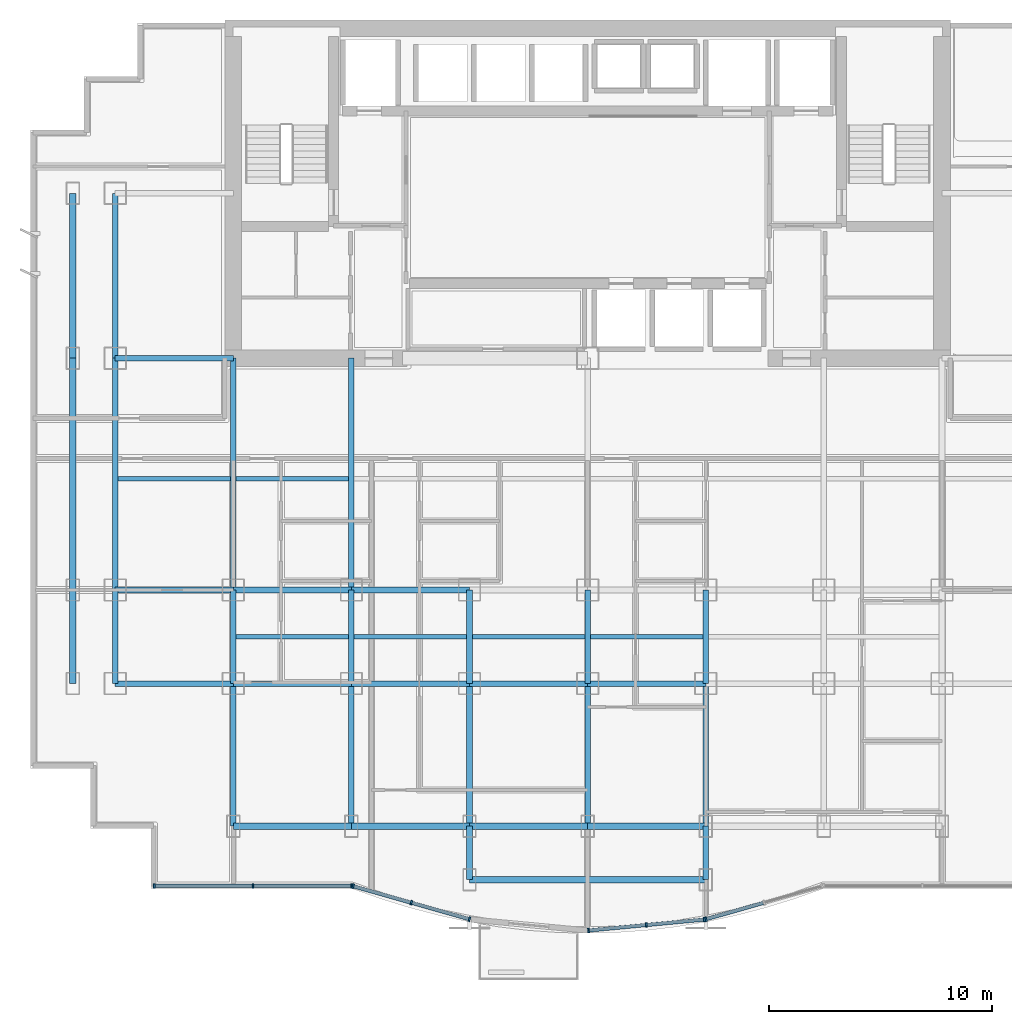
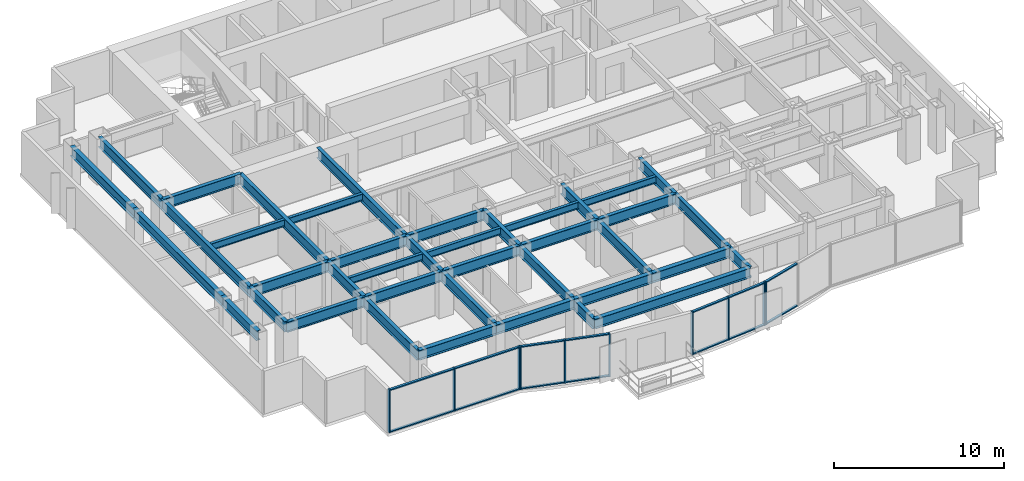
# One storey, part 2 of 10: 40 beams, 24 members, 4 elements without a shape of their own.
"""IFC4 building model written with IfcOpenShell, lengths in metres."""

from ifc_helpers import new_model, si_unit, direction, frame, origin, origin_2d, place, context, subcontext, project, spatial, rectangle, i_section, extrude, source, transform, mapped, material, layer, layer_set, material_profile, profile_set, type_object, element, aggregate, save


model = new_model("IFC4")

# Units and contexts
model_context = context("Model", 3, precision=1e-05, world=origin(), true_north=direction((0.0, 1.0)))
body_context = subcontext(model_context, "Body", "Model", "MODEL_VIEW")
ifc_project = project(units=[si_unit("LENGTHUNIT", "METRE"), si_unit("AREAUNIT", "SQUARE_METRE"), si_unit("VOLUMEUNIT", "CUBIC_METRE"), si_unit("PLANEANGLEUNIT", "RADIAN"), si_unit("MASSUNIT", "GRAM", prefix="KILO")], contexts=[model_context])

# Site, building, storey
site_placement = place(None, origin())
site = spatial("IfcSite", under=ifc_project, at=site_placement, CompositionType="ELEMENT")
building_placement = place(site_placement, origin())
building = spatial("IfcBuilding", under=site, at=building_placement, Name="Qianlan Lanfeng Residences", CompositionType="ELEMENT")
storey_placement = place(building_placement, frame((0.0, 0.0, 91.60009765625)))
storey = spatial("IfcBuildingStorey", under=building, at=storey_placement, Name="L24", CompositionType="ELEMENT", Elevation=91.60009765625)

# Beams
ifc_material_1 = material(Name="Steel SN490B", Category="steel")
ifc_material_profile_1 = material_profile(ifc_material_1, i_section(OverallWidth=0.25, OverallDepth=0.75, WebThickness=0.013916015625, FlangeThickness=0.02490234375, at=origin_2d()), Name="H 750x250x14x25")
ifc_profile_set_1 = profile_set([ifc_material_profile_1], Name="Steel SN490B")
beam_type_1 = type_object("IfcBeamType", Name="G-850", PredefinedType="BEAM", material=ifc_profile_set_1)
beam_1_placement = place(storey_placement, frame((5.300048828125, 10.60009765625, 2.71484375), z_axis=(1.0, 0.0, 0.0), x_axis=(0.0, 1.0, 0.0)))
element("IfcBeam", 1, at=beam_1_placement, inside=storey, type_object=beam_type_1, Name="Structural beam G-850", PredefinedType="BEAM", context=body_context, shape_type="SweptSolid", body=[
    extrude(i_section(OverallWidth=0.25, OverallDepth=0.75, WebThickness=0.013916015625, FlangeThickness=0.02490234375, at=origin_2d()), origin(), (0.0, 0.0, 1.0), 5.300048828125),
])
beam_2_placement = place(storey_placement, frame((10.60009765625, 10.60009765625, 2.71484375), z_axis=(1.0, 0.0, 0.0), x_axis=(0.0, 1.0, 0.0)))
element("IfcBeam", 2, at=beam_2_placement, inside=storey, type_object=beam_type_1, Name="Structural beam G-850", PredefinedType="BEAM", context=body_context, shape_type="SweptSolid", body=[
    extrude(i_section(OverallWidth=0.25, OverallDepth=0.75, WebThickness=0.013916015625, FlangeThickness=0.02490234375, at=origin_2d()), origin(), (0.0, 0.0, 1.0), 5.2998046875),
])
for number, where, z_axis, x_axis, name in (
    (3, (15.89990234375, 10.60009765625, 2.71484375), (1.0, 0.0, 0.0), (0.0, 1.0, 0.0), "Structural beam G-850"),
    (4, (21.199951171875, 10.60009765625, 2.71484375), (1.0, 0.0, 0.0), (0.0, 1.0, 0.0), "Structural beam G-850"),
    (5, (26.5, 10.60009765625, 2.71484375), (1.0, 0.0, 0.0), (0.0, 1.0, 0.0), "Structural beam G-850"),
    (6, (5.300048828125, 14.800048828125, 2.71484375), (1.0, 0.0, 0.0), (0.0, 1.0, 0.0), "Structural beam G-850"),
):
    element("IfcBeam", number, at=place(storey_placement, frame(where, z_axis=z_axis, x_axis=x_axis)), inside=storey, type_object=beam_type_1, Name=name, PredefinedType="BEAM", context=body_context, shape_type="SweptSolid", body=[
        extrude(i_section(OverallWidth=0.25, OverallDepth=0.75, WebThickness=0.013916015625, FlangeThickness=0.02490234375, at=origin_2d()), origin(), (0.0, 0.0, 1.0), 5.300048828125),
    ])
beam_3_placement = place(storey_placement, frame((10.60009765625, 14.800048828125, 2.71484375), z_axis=(1.0, 0.0, 0.0), x_axis=(0.0, 1.0, 0.0)))
element("IfcBeam", 7, at=beam_3_placement, inside=storey, type_object=beam_type_1, Name="Structural beam G-850", PredefinedType="BEAM", context=body_context, shape_type="SweptSolid", body=[
    extrude(i_section(OverallWidth=0.25, OverallDepth=0.75, WebThickness=0.013916015625, FlangeThickness=0.02490234375, at=origin_2d()), origin(), (0.0, 0.0, 1.0), 5.2998046875),
])
for number, where, z_axis, x_axis, name in (
    (8, (15.89990234375, 14.800048828125, 2.71484375), (1.0, 0.0, 0.0), (0.0, 1.0, 0.0), "Structural beam G-850"),
    (9, (5.300048828125, 25.199951171875, 2.71484375), (1.0, 0.0, 0.0), (0.0, 1.0, 0.0), "Structural beam G-850"),
):
    element("IfcBeam", number, at=place(storey_placement, frame(where, z_axis=z_axis, x_axis=x_axis)), inside=storey, type_object=beam_type_1, Name=name, PredefinedType="BEAM", context=body_context, shape_type="SweptSolid", body=[
        extrude(i_section(OverallWidth=0.25, OverallDepth=0.75, WebThickness=0.013916015625, FlangeThickness=0.02490234375, at=origin_2d()), origin(), (0.0, 0.0, 1.0), 5.300048828125),
    ])
beam_4_placement = place(storey_placement, frame((5.300048828125, 10.60009765625, 2.71484375), z_axis=(0.0, 1.0, 0.0), x_axis=(-1.0, 0.0, 0.0)))
element("IfcBeam", 10, at=beam_4_placement, inside=storey, type_object=beam_type_1, Name="Structural beam G-850", PredefinedType="BEAM", context=body_context, shape_type="SweptSolid", body=[
    extrude(i_section(OverallWidth=0.25, OverallDepth=0.75, WebThickness=0.013916015625, FlangeThickness=0.02490234375, at=origin_2d()), origin(), (0.0, 0.0, 1.0), 4.199951171875),
])
beam_5_placement = place(storey_placement, frame((5.300048828125, 14.800048828125, 2.71484375), z_axis=(0.0, 1.0, 0.0), x_axis=(-1.0, 0.0, 0.0)))
element("IfcBeam", 11, at=beam_5_placement, inside=storey, type_object=beam_type_1, Name="Structural beam G-850", PredefinedType="BEAM", context=body_context, shape_type="SweptSolid", body=[
    extrude(i_section(OverallWidth=0.25, OverallDepth=0.75, WebThickness=0.013916015625, FlangeThickness=0.02490234375, at=origin_2d()), origin(), (0.0, 0.0, 1.0), 10.39990234375),
])
beam_6_placement = place(storey_placement, frame((5.300048828125, 25.199951171875, 2.71484375), z_axis=(0.0, 1.0, 0.0), x_axis=(-1.0, 0.0, 0.0)))
element("IfcBeam", 12, at=beam_6_placement, inside=storey, type_object=beam_type_1, Name="Structural beam G-850", PredefinedType="BEAM", context=body_context, shape_type="SweptSolid", body=[
    extrude(i_section(OverallWidth=0.25, OverallDepth=0.75, WebThickness=0.013916015625, FlangeThickness=0.02490234375, at=origin_2d()), origin(), (0.0, 0.0, 1.0), 7.400146484375),
])
beam_7_placement = place(storey_placement, frame((10.60009765625, 4.199951171875, 2.71484375), z_axis=(0.0, 1.0, 0.0), x_axis=(-1.0, 0.0, 0.0)))
element("IfcBeam", 13, at=beam_7_placement, inside=storey, type_object=beam_type_1, Name="Structural beam G-850", PredefinedType="BEAM", context=body_context, shape_type="SweptSolid", body=[
    extrude(i_section(OverallWidth=0.25, OverallDepth=0.75, WebThickness=0.013916015625, FlangeThickness=0.02490234375, at=origin_2d()), origin(), (0.0, 0.0, 1.0), 6.400146484375),
])
beam_8_placement = place(storey_placement, frame((10.60009765625, 10.60009765625, 2.71484375), z_axis=(0.0, 1.0, 0.0), x_axis=(-1.0, 0.0, 0.0)))
element("IfcBeam", 14, at=beam_8_placement, inside=storey, type_object=beam_type_1, Name="Structural beam G-850", PredefinedType="BEAM", context=body_context, shape_type="SweptSolid", body=[
    extrude(i_section(OverallWidth=0.25, OverallDepth=0.75, WebThickness=0.013916015625, FlangeThickness=0.02490234375, at=origin_2d()), origin(), (0.0, 0.0, 1.0), 4.199951171875),
])
beam_9_placement = place(storey_placement, frame((10.60009765625, 14.800048828125, 2.71484375), z_axis=(0.0, 1.0, 0.0), x_axis=(-1.0, 0.0, 0.0)))
element("IfcBeam", 15, at=beam_9_placement, inside=storey, type_object=beam_type_1, Name="Structural beam G-850", PredefinedType="BEAM", context=body_context, shape_type="SweptSolid", body=[
    extrude(i_section(OverallWidth=0.25, OverallDepth=0.75, WebThickness=0.013916015625, FlangeThickness=0.02490234375, at=origin_2d()), origin(), (0.0, 0.0, 1.0), 10.39990234375),
])
beam_10_placement = place(storey_placement, frame((15.89990234375, 4.199951171875, 2.71484375), z_axis=(0.0, 1.0, 0.0), x_axis=(-1.0, 0.0, 0.0)))
element("IfcBeam", 16, at=beam_10_placement, inside=storey, type_object=beam_type_1, Name="Structural beam G-850", PredefinedType="BEAM", context=body_context, shape_type="SweptSolid", body=[
    extrude(i_section(OverallWidth=0.25, OverallDepth=0.75, WebThickness=0.013916015625, FlangeThickness=0.02490234375, at=origin_2d()), origin(), (0.0, 0.0, 1.0), 6.400146484375),
])
beam_11_placement = place(storey_placement, frame((15.89990234375, 10.60009765625, 2.71484375), z_axis=(0.0, 1.0, 0.0), x_axis=(-1.0, 0.0, 0.0)))
element("IfcBeam", 17, at=beam_11_placement, inside=storey, type_object=beam_type_1, Name="Structural beam G-850", PredefinedType="BEAM", context=body_context, shape_type="SweptSolid", body=[
    extrude(i_section(OverallWidth=0.25, OverallDepth=0.75, WebThickness=0.013916015625, FlangeThickness=0.02490234375, at=origin_2d()), origin(), (0.0, 0.0, 1.0), 4.199951171875),
])
beam_12_placement = place(storey_placement, frame((15.89990234375, 14.800048828125, 2.71484375), z_axis=(0.0, 1.0, 0.0), x_axis=(-1.0, 0.0, 0.0)))
element("IfcBeam", 18, at=beam_12_placement, inside=storey, type_object=beam_type_1, Name="Structural beam G-850", PredefinedType="BEAM", context=body_context, shape_type="SweptSolid", body=[
    extrude(i_section(OverallWidth=0.25, OverallDepth=0.75, WebThickness=0.013916015625, FlangeThickness=0.02490234375, at=origin_2d()), origin(), (0.0, 0.0, 1.0), 10.39990234375),
])
beam_13_placement = place(storey_placement, frame((21.199951171875, 1.800048828125, 2.71484375), z_axis=(0.0, 1.0, 0.0), x_axis=(-1.0, 0.0, 0.0)))
element("IfcBeam", 19, at=beam_13_placement, inside=storey, type_object=beam_type_1, Name="Structural beam G-850", PredefinedType="BEAM", context=body_context, shape_type="SweptSolid", body=[
    extrude(i_section(OverallWidth=0.25, OverallDepth=0.75, WebThickness=0.013916015625, FlangeThickness=0.02490234375, at=origin_2d()), origin(), (0.0, 0.0, 1.0), 2.39990234375),
])
beam_14_placement = place(storey_placement, frame((21.199951171875, 4.199951171875, 2.71484375), z_axis=(0.0, 1.0, 0.0), x_axis=(-1.0, 0.0, 0.0)))
element("IfcBeam", 20, at=beam_14_placement, inside=storey, type_object=beam_type_1, Name="Structural beam G-850", PredefinedType="BEAM", context=body_context, shape_type="SweptSolid", body=[
    extrude(i_section(OverallWidth=0.25, OverallDepth=0.75, WebThickness=0.013916015625, FlangeThickness=0.02490234375, at=origin_2d()), origin(), (0.0, 0.0, 1.0), 6.400146484375),
])
beam_15_placement = place(storey_placement, frame((21.199951171875, 10.60009765625, 2.71484375), z_axis=(0.0, 1.0, 0.0), x_axis=(-1.0, 0.0, 0.0)))
element("IfcBeam", 21, at=beam_15_placement, inside=storey, type_object=beam_type_1, Name="Structural beam G-850", PredefinedType="BEAM", context=body_context, shape_type="SweptSolid", body=[
    extrude(i_section(OverallWidth=0.25, OverallDepth=0.75, WebThickness=0.013916015625, FlangeThickness=0.02490234375, at=origin_2d()), origin(), (0.0, 0.0, 1.0), 4.199951171875),
])
beam_16_placement = place(storey_placement, frame((26.5, 4.199951171875, 2.71484375), z_axis=(0.0, 1.0, 0.0), x_axis=(-1.0, 0.0, 0.0)))
element("IfcBeam", 22, at=beam_16_placement, inside=storey, type_object=beam_type_1, Name="Structural beam G-850", PredefinedType="BEAM", context=body_context, shape_type="SweptSolid", body=[
    extrude(i_section(OverallWidth=0.25, OverallDepth=0.75, WebThickness=0.013916015625, FlangeThickness=0.02490234375, at=origin_2d()), origin(), (0.0, 0.0, 1.0), 6.400146484375),
])
beam_17_placement = place(storey_placement, frame((26.5, 10.60009765625, 2.71484375), z_axis=(0.0, 1.0, 0.0), x_axis=(-1.0, 0.0, 0.0)))
element("IfcBeam", 23, at=beam_17_placement, inside=storey, type_object=beam_type_1, Name="Structural beam G-850", PredefinedType="BEAM", context=body_context, shape_type="SweptSolid", body=[
    extrude(i_section(OverallWidth=0.25, OverallDepth=0.75, WebThickness=0.013916015625, FlangeThickness=0.02490234375, at=origin_2d()), origin(), (0.0, 0.0, 1.0), 4.199951171875),
])
beam_18_placement = place(storey_placement, frame((31.800048828125, 1.800048828125, 2.71484375), z_axis=(0.0, 1.0, 0.0), x_axis=(-1.0, 0.0, 0.0)))
element("IfcBeam", 24, at=beam_18_placement, inside=storey, type_object=beam_type_1, Name="Structural beam G-850", PredefinedType="BEAM", context=body_context, shape_type="SweptSolid", body=[
    extrude(i_section(OverallWidth=0.25, OverallDepth=0.75, WebThickness=0.013916015625, FlangeThickness=0.02490234375, at=origin_2d()), origin(), (0.0, 0.0, 1.0), 2.39990234375),
])
beam_19_placement = place(storey_placement, frame((31.800048828125, 4.199951171875, 2.71484375), z_axis=(0.0, 1.0, 0.0), x_axis=(-1.0, 0.0, 0.0)))
element("IfcBeam", 25, at=beam_19_placement, inside=storey, type_object=beam_type_1, Name="Structural beam G-850", PredefinedType="BEAM", context=body_context, shape_type="SweptSolid", body=[
    extrude(i_section(OverallWidth=0.25, OverallDepth=0.75, WebThickness=0.013916015625, FlangeThickness=0.02490234375, at=origin_2d()), origin(), (0.0, 0.0, 1.0), 6.400146484375),
])
beam_20_placement = place(storey_placement, frame((31.800048828125, 10.60009765625, 2.71484375), z_axis=(0.0, 1.0, 0.0), x_axis=(-1.0, 0.0, 0.0)))
element("IfcBeam", 26, at=beam_20_placement, inside=storey, type_object=beam_type_1, Name="Structural beam G-850", PredefinedType="BEAM", context=body_context, shape_type="SweptSolid", body=[
    extrude(i_section(OverallWidth=0.25, OverallDepth=0.75, WebThickness=0.013916015625, FlangeThickness=0.02490234375, at=origin_2d()), origin(), (0.0, 0.0, 1.0), 4.199951171875),
])
ifc_material_profile_2 = material_profile(ifc_material_1, i_section(OverallWidth=0.199951171875, OverallDepth=0.5, WebThickness=0.010009765625, FlangeThickness=0.01611328125, at=origin_2d()), Name="H 500x200x10x16")
ifc_profile_set_2 = profile_set([ifc_material_profile_2], Name="Steel SN490B")
beam_type_2 = type_object("IfcBeamType", Name="J-500", PredefinedType="JOIST", material=ifc_profile_set_2)
beam_21_placement = place(storey_placement, frame((10.72509765625, 12.699951171875, 2.83984375), z_axis=(1.0, 0.0, 0.0), x_axis=(0.0, 1.0, 0.0)))
element("IfcBeam", 27, at=beam_21_placement, inside=storey, type_object=beam_type_2, Name="Structural beam J-500", PredefinedType="JOIST", context=body_context, shape_type="SweptSolid", body=[
    extrude(i_section(OverallWidth=0.199951171875, OverallDepth=0.5, WebThickness=0.010009765625, FlangeThickness=0.01611328125, at=origin_2d()), origin(), (0.0, 0.0, 1.0), 5.0498046875),
])
for number, where, z_axis, x_axis, name in (
    (28, (16.02490234375, 12.699951171875, 2.83984375), (1.0, 0.0, 0.0), (0.0, 1.0, 0.0), "Structural beam J-500"),
    (29, (21.324951171875, 12.699951171875, 2.83984375), (1.0, 0.0, 0.0), (0.0, 1.0, 0.0), "Structural beam J-500"),
    (30, (26.625, 12.699951171875, 2.83984375), (1.0, 0.0, 0.0), (0.0, 1.0, 0.0), "Structural beam J-500"),
    (31, (5.425048828125, 19.800048828125, 2.83984375), (1.0, 0.0, 0.0), (0.0, 1.0, 0.0), "Structural beam J-500"),
):
    element("IfcBeam", number, at=place(storey_placement, frame(where, z_axis=z_axis, x_axis=x_axis)), inside=storey, type_object=beam_type_2, Name=name, PredefinedType="JOIST", context=body_context, shape_type="SweptSolid", body=[
        extrude(i_section(OverallWidth=0.199951171875, OverallDepth=0.5, WebThickness=0.010009765625, FlangeThickness=0.01611328125, at=origin_2d()), origin(), (0.0, 0.0, 1.0), 5.050048828125),
    ])
beam_22_placement = place(storey_placement, frame((10.72509765625, 19.800048828125, 2.83984375), z_axis=(1.0, 0.0, 0.0), x_axis=(0.0, 1.0, 0.0)))
element("IfcBeam", 32, at=beam_22_placement, inside=storey, type_object=beam_type_2, Name="Structural beam J-500", PredefinedType="JOIST", context=body_context, shape_type="SweptSolid", body=[
    extrude(i_section(OverallWidth=0.199951171875, OverallDepth=0.5, WebThickness=0.010009765625, FlangeThickness=0.01611328125, at=origin_2d()), origin(), (0.0, 0.0, 1.0), 5.0498046875),
])
ifc_material_profile_3 = material_profile(ifc_material_1, i_section(OverallWidth=0.300048828125, OverallDepth=0.699951171875, WebThickness=0.012939453125, FlangeThickness=0.02392578125, at=origin_2d()), Name="H 700x300x13x24")
ifc_profile_set_3 = profile_set([ifc_material_profile_3], Name="Steel SN490B")
beam_type_3 = type_object("IfcBeamType", Name="SG-750", PredefinedType="SPANDREL", material=ifc_profile_set_3)
beam_23_placement = place(storey_placement, frame((21.199951171875, 1.800048828125, 2.739990234375), z_axis=(1.0, 0.0, 0.0), x_axis=(0.0, 1.0, 0.0)))
element("IfcBeam", 33, at=beam_23_placement, inside=storey, type_object=beam_type_3, Name="Structural beam SG-750", PredefinedType="SPANDREL", context=body_context, shape_type="SweptSolid", body=[
    extrude(i_section(OverallWidth=0.300048828125, OverallDepth=0.699951171875, WebThickness=0.012939453125, FlangeThickness=0.02392578125, at=origin_2d()), origin(), (0.0, 0.0, 1.0), 10.60009765625),
])
beam_24_placement = place(storey_placement, frame((10.60009765625, 4.199951171875, 2.739990234375), z_axis=(1.0, 0.0, 0.0), x_axis=(0.0, 1.0, 0.0)))
element("IfcBeam", 34, at=beam_24_placement, inside=storey, type_object=beam_type_3, Name="Structural beam SG-750", PredefinedType="SPANDREL", context=body_context, shape_type="SweptSolid", body=[
    extrude(i_section(OverallWidth=0.300048828125, OverallDepth=0.699951171875, WebThickness=0.012939453125, FlangeThickness=0.02392578125, at=origin_2d()), origin(), (0.0, 0.0, 1.0), 5.2998046875),
])
for number, where, z_axis, x_axis, name in (
    (35, (15.89990234375, 4.199951171875, 2.739990234375), (1.0, 0.0, 0.0), (0.0, 1.0, 0.0), "Structural beam SG-750"),
    (36, (21.199951171875, 4.199951171875, 2.739990234375), (1.0, 0.0, 0.0), (0.0, 1.0, 0.0), "Structural beam SG-750"),
    (37, (26.5, 4.199951171875, 2.739990234375), (1.0, 0.0, 0.0), (0.0, 1.0, 0.0), "Structural beam SG-750"),
):
    element("IfcBeam", number, at=place(storey_placement, frame(where, z_axis=z_axis, x_axis=x_axis)), inside=storey, type_object=beam_type_3, Name=name, PredefinedType="SPANDREL", context=body_context, shape_type="SweptSolid", body=[
        extrude(i_section(OverallWidth=0.300048828125, OverallDepth=0.699951171875, WebThickness=0.012939453125, FlangeThickness=0.02392578125, at=origin_2d()), origin(), (0.0, 0.0, 1.0), 5.300048828125),
    ])
beam_25_placement = place(storey_placement, frame((3.39990234375, 10.60009765625, 2.739990234375), z_axis=(0.0, 1.0, 0.0), x_axis=(-1.0, 0.0, 0.0)))
element("IfcBeam", 38, at=beam_25_placement, inside=storey, type_object=beam_type_3, Name="Structural beam SG-750", PredefinedType="SPANDREL", context=body_context, shape_type="SweptSolid", body=[
    extrude(i_section(OverallWidth=0.300048828125, OverallDepth=0.699951171875, WebThickness=0.012939453125, FlangeThickness=0.02392578125, at=origin_2d()), origin(), (0.0, 0.0, 1.0), 4.199951171875),
])
beam_26_placement = place(storey_placement, frame((3.39990234375, 14.800048828125, 2.739990234375), z_axis=(0.0, 1.0, 0.0), x_axis=(-1.0, 0.0, 0.0)))
element("IfcBeam", 39, at=beam_26_placement, inside=storey, type_object=beam_type_3, Name="Structural beam SG-750", PredefinedType="SPANDREL", context=body_context, shape_type="SweptSolid", body=[
    extrude(i_section(OverallWidth=0.300048828125, OverallDepth=0.699951171875, WebThickness=0.012939453125, FlangeThickness=0.02392578125, at=origin_2d()), origin(), (0.0, 0.0, 1.0), 10.39990234375),
])
beam_27_placement = place(storey_placement, frame((3.39990234375, 25.199951171875, 2.739990234375), z_axis=(0.0, 1.0, 0.0), x_axis=(-1.0, 0.0, 0.0)))
element("IfcBeam", 40, at=beam_27_placement, inside=storey, type_object=beam_type_3, Name="Structural beam SG-750", PredefinedType="SPANDREL", context=body_context, shape_type="SweptSolid", body=[
    extrude(i_section(OverallWidth=0.300048828125, OverallDepth=0.699951171875, WebThickness=0.012939453125, FlangeThickness=0.02392578125, at=origin_2d()), origin(), (0.0, 0.0, 1.0), 7.400146484375),
])

# Curtain wall, members
ifc_material_2 = material(Name="Anodised Bronze Aluminium 6063-T6", Category="aluminium")
ifc_layer = layer(ifc_material_2, 0.219970703125)
ifc_layer_set = layer_set([ifc_layer], Name="Anodised Bronze Aluminium 6063-T6")
curtain_wall_type = type_object("IfcCurtainWallType", Name="CW-03", PredefinedType="NOTDEFINED", material=ifc_layer_set)
curtain_wall_1_placement = place(storey_placement, origin())
curtain_wall_1 = element("IfcCurtainWall", 41, at=curtain_wall_1_placement, inside=storey, type_object=curtain_wall_type, Name="L24 Unitised Curtain Wall CWR-L24-01 (CW-03)", PredefinedType="NOTDEFINED")
ifc_material_profile_4 = material_profile(ifc_material_2, rectangle(XDim=0.080078125, YDim=0.159912109375, at=origin_2d()), Name="ALU TRANSOM 80x160")
ifc_profile_set_4 = profile_set([ifc_material_profile_4], Name="Anodised Bronze Aluminium 6063-T6")
member_type_1 = type_object("IfcMemberType", Name="CWT-180", PredefinedType="USERDEFINED", material=ifc_profile_set_4)
shared_shape_1 = source(origin(), body_context, "Body", "SweptSolid", [
    extrude(rectangle(XDim=0.080078125, YDim=0.159912109375, at=origin_2d()), origin(), (0.0, 0.0, 1.0), 4.34033203125),
])
member_1_placement = place(storey_placement, frame((7.10009765625, 1.52001953125, 0.039794921875), z_axis=(1.0, 0.0, 0.0), x_axis=(0.0, 0.0, 1.0)))
member_1 = element("IfcMember", 42, at=member_1_placement, type_object=member_type_1, Name="CWR-L24-01 Transom 1-BOT", ObjectType="TRANSOM", PredefinedType="USERDEFINED", context=body_context, shape_type="MappedRepresentation", body=[
    mapped(shared_shape_1, transform((0.0, 0.0, 0.0), scale=1.0)),
])
member_2_placement = place(storey_placement, frame((7.10009765625, 1.52001953125, 3.0498046875), z_axis=(1.0, 0.0, 0.0), x_axis=(0.0, 0.0, 1.0)))
member_2 = element("IfcMember", 43, at=member_2_placement, type_object=member_type_1, Name="CWR-L24-01 Transom 1-TOP", ObjectType="TRANSOM", PredefinedType="USERDEFINED", context=body_context, shape_type="MappedRepresentation", body=[
    mapped(shared_shape_1, transform((0.0, 0.0, 0.0), scale=1.0)),
])
shared_shape_2 = source(origin(), body_context, "Body", "SweptSolid", [
    extrude(rectangle(XDim=0.080078125, YDim=0.159912109375, at=origin_2d()), origin(), (0.0, 0.0, 1.0), 4.340576171875),
])
member_3_placement = place(storey_placement, frame((11.5205078125, 1.52001953125, 0.039794921875), z_axis=(1.0, 0.0, 0.0), x_axis=(0.0, 0.0, 1.0)))
member_3 = element("IfcMember", 44, at=member_3_placement, type_object=member_type_1, Name="CWR-L24-01 Transom 2-BOT", ObjectType="TRANSOM", PredefinedType="USERDEFINED", context=body_context, shape_type="MappedRepresentation", body=[
    mapped(shared_shape_2, transform((0.0, 0.0, 0.0), scale=1.0)),
])
member_4_placement = place(storey_placement, frame((11.5205078125, 1.52001953125, 3.0498046875), z_axis=(1.0, 0.0, 0.0), x_axis=(0.0, 0.0, 1.0)))
member_4 = element("IfcMember", 45, at=member_4_placement, type_object=member_type_1, Name="CWR-L24-01 Transom 2-TOP", ObjectType="TRANSOM", PredefinedType="USERDEFINED", context=body_context, shape_type="MappedRepresentation", body=[
    mapped(shared_shape_2, transform((0.0, 0.0, 0.0), scale=1.0)),
])

curtain_wall_2_placement = place(storey_placement, origin())
curtain_wall_2 = element("IfcCurtainWall", 46, at=curtain_wall_2_placement, inside=storey, type_object=curtain_wall_type, Name="L24 Unitised Curtain Wall CWR-L24-02 (CW-03)", PredefinedType="NOTDEFINED")
shared_shape_3 = source(origin(), body_context, "Body", "SweptSolid", [
    extrude(rectangle(XDim=0.080078125, YDim=0.159912109375, at=origin_2d()), origin(), (0.0, 0.0, 1.0), 2.630126953125),
])
member_5_placement = place(storey_placement, frame((16.01806640625, 1.498291015625, 0.039794921875), z_axis=(0.961960587005, -0.273188266675, 0.0), x_axis=(0.0, 0.0, 1.0)))
member_5 = element("IfcMember", 47, at=member_5_placement, type_object=member_type_1, Name="CWR-L24-02 Transom 1-BOT", ObjectType="TRANSOM", PredefinedType="USERDEFINED", context=body_context, shape_type="MappedRepresentation", body=[
    mapped(shared_shape_3, transform((0.0, 0.0, 0.0), scale=1.0)),
])
member_6_placement = place(storey_placement, frame((16.01806640625, 1.498291015625, 3.0498046875), z_axis=(0.961960587005, -0.273188266675, 0.0), x_axis=(0.0, 0.0, 1.0)))
member_6 = element("IfcMember", 48, at=member_6_placement, type_object=member_type_1, Name="CWR-L24-02 Transom 1-TOP", ObjectType="TRANSOM", PredefinedType="USERDEFINED", context=body_context, shape_type="MappedRepresentation", body=[
    mapped(shared_shape_3, transform((0.0, 0.0, 0.0), scale=1.0)),
])
member_7_placement = place(storey_placement, frame((18.625, 0.758056640625, 0.039794921875), z_axis=(0.961984978242, -0.273102364758, 0.0), x_axis=(0.0, 0.0, 1.0)))
member_7 = element("IfcMember", 49, at=member_7_placement, type_object=member_type_1, Name="CWR-L24-02 Transom 2-BOT", ObjectType="TRANSOM", PredefinedType="USERDEFINED", context=body_context, shape_type="MappedRepresentation", body=[
    mapped(shared_shape_3, transform((0.0, 0.0, 0.0), scale=1.0)),
])
member_8_placement = place(storey_placement, frame((18.625, 0.758056640625, 3.0498046875), z_axis=(0.961984978242, -0.273102364758, 0.0), x_axis=(0.0, 0.0, 1.0)))
member_8 = element("IfcMember", 50, at=member_8_placement, type_object=member_type_1, Name="CWR-L24-02 Transom 2-TOP", ObjectType="TRANSOM", PredefinedType="USERDEFINED", context=body_context, shape_type="MappedRepresentation", body=[
    mapped(shared_shape_3, transform((0.0, 0.0, 0.0), scale=1.0)),
])

curtain_wall_3_placement = place(storey_placement, origin())
curtain_wall_3 = element("IfcCurtainWall", 51, at=curtain_wall_3_placement, inside=storey, type_object=curtain_wall_type, Name="L24 Unitised Curtain Wall CWR-L24-04 (CW-03)", PredefinedType="NOTDEFINED")
member_9_placement = place(storey_placement, frame((31.844970703125, 0.039794921875, 0.039794921875), z_axis=(0.961984978242, 0.273102364758, 0.0), x_axis=(0.0, 0.0, 1.0)))
member_9 = element("IfcMember", 52, at=member_9_placement, type_object=member_type_1, Name="CWR-L24-04 Transom 1-BOT", ObjectType="TRANSOM", PredefinedType="USERDEFINED", context=body_context, shape_type="MappedRepresentation", body=[
    mapped(shared_shape_3, transform((0.0, 0.0, 0.0), scale=1.0)),
])
member_10_placement = place(storey_placement, frame((31.844970703125, 0.039794921875, 3.0498046875), z_axis=(0.961984978242, 0.273102364758, 0.0), x_axis=(0.0, 0.0, 1.0)))
member_10 = element("IfcMember", 53, at=member_10_placement, type_object=member_type_1, Name="CWR-L24-04 Transom 1-TOP", ObjectType="TRANSOM", PredefinedType="USERDEFINED", context=body_context, shape_type="MappedRepresentation", body=[
    mapped(shared_shape_3, transform((0.0, 0.0, 0.0), scale=1.0)),
])

curtain_wall_4_placement = place(storey_placement, origin())
curtain_wall_4 = element("IfcCurtainWall", 54, at=curtain_wall_4_placement, inside=storey, type_object=curtain_wall_type, Name="L24 Unitised Curtain Wall CWR-L24-03 (CW-03)", PredefinedType="NOTDEFINED")
shared_shape_4 = source(origin(), body_context, "Body", "SweptSolid", [
    extrude(rectangle(XDim=0.080078125, YDim=0.159912109375, at=origin_2d()), origin(), (0.0, 0.0, 1.0), 2.52587890625),
])
member_11_placement = place(storey_placement, frame((29.173828125, -0.227294921875, 0.039794921875), z_axis=(0.995558673677, 0.094143121181, 0.0), x_axis=(0.0, 0.0, 1.0)))
member_11 = element("IfcMember", 55, at=member_11_placement, type_object=member_type_1, Name="CWR-L24-03 Transom 2-BOT", ObjectType="TRANSOM", PredefinedType="USERDEFINED", context=body_context, shape_type="MappedRepresentation", body=[
    mapped(shared_shape_4, transform((0.0, 0.0, 0.0), scale=1.0)),
])
member_12_placement = place(storey_placement, frame((29.173828125, -0.227294921875, 3.0498046875), z_axis=(0.995558673677, 0.094143121181, 0.0), x_axis=(0.0, 0.0, 1.0)))
member_12 = element("IfcMember", 56, at=member_12_placement, type_object=member_type_1, Name="CWR-L24-03 Transom 2-TOP", ObjectType="TRANSOM", PredefinedType="USERDEFINED", context=body_context, shape_type="MappedRepresentation", body=[
    mapped(shared_shape_4, transform((0.0, 0.0, 0.0), scale=1.0)),
])
shared_shape_5 = source(origin(), body_context, "Body", "SweptSolid", [
    extrude(rectangle(XDim=0.080078125, YDim=0.159912109375, at=origin_2d()), origin(), (0.0, 0.0, 1.0), 2.525634765625),
])
member_13_placement = place(storey_placement, frame((26.57958984375, -0.472412109375, 0.039794921875), z_axis=(0.995566873206, 0.094056371262, 0.0), x_axis=(0.0, 0.0, 1.0)))
member_13 = element("IfcMember", 57, at=member_13_placement, type_object=member_type_1, Name="CWR-L24-03 Transom 1-BOT", ObjectType="TRANSOM", PredefinedType="USERDEFINED", context=body_context, shape_type="MappedRepresentation", body=[
    mapped(shared_shape_5, transform((0.0, 0.0, 0.0), scale=1.0)),
])
member_14_placement = place(storey_placement, frame((26.57958984375, -0.472412109375, 3.0498046875), z_axis=(0.995566873206, 0.094056371262, 0.0), x_axis=(0.0, 0.0, 1.0)))
member_14 = element("IfcMember", 58, at=member_14_placement, type_object=member_type_1, Name="CWR-L24-03 Transom 1-TOP", ObjectType="TRANSOM", PredefinedType="USERDEFINED", context=body_context, shape_type="MappedRepresentation", body=[
    mapped(shared_shape_5, transform((0.0, 0.0, 0.0), scale=1.0)),
])

# Member
ifc_material_profile_5 = material_profile(ifc_material_2, rectangle(XDim=0.080078125, YDim=0.2099609375, at=origin_2d()), Name="ALU MULLION 80x210")
ifc_profile_set_5 = profile_set([ifc_material_profile_5], Name="Anodised Bronze Aluminium 6063-T6")
member_type_2 = type_object("IfcMemberType", Name="CWM-220", PredefinedType="MULLION", material=ifc_profile_set_5)
shared_shape_6 = source(origin(), body_context, "Body", "SweptSolid", [
    extrude(rectangle(XDim=0.080078125, YDim=0.2099609375, at=origin_2d()), origin(), (0.0, 0.0, 1.0), 3.08984375),
])
member_15_placement = place(storey_placement, frame((7.06005859375, 1.52001953125, 0.0), z_axis=(0.0, 0.0, 1.0), x_axis=(1.0, 0.0, 0.0)))
member_15 = element("IfcMember", 59, at=member_15_placement, type_object=member_type_2, Name="CWR-L24-01 Mullion 1", PredefinedType="MULLION", context=body_context, shape_type="MappedRepresentation", body=[
    mapped(shared_shape_6, transform((0.0, 0.0, 0.0), scale=1.0)),
])

member_16_placement = place(storey_placement, frame((11.48046875, 1.52001953125, 0.0), z_axis=(0.0, 0.0, 1.0), x_axis=(1.0, 0.0, 0.0)))
member_16 = element("IfcMember", 60, at=member_16_placement, type_object=member_type_2, Name="CWR-L24-01 Mullion 2", PredefinedType="MULLION", context=body_context, shape_type="MappedRepresentation", body=[
    mapped(shared_shape_6, transform((0.0, 0.0, 0.0), scale=1.0)),
])

member_17_placement = place(storey_placement, frame((15.90087890625, 1.52001953125, 0.0), z_axis=(0.0, 0.0, 1.0), x_axis=(1.0, 0.0, 0.0)))
member_17 = element("IfcMember", 61, at=member_17_placement, type_object=member_type_2, Name="CWR-L24-01 Mullion 3", PredefinedType="MULLION", context=body_context, shape_type="MappedRepresentation", body=[
    mapped(shared_shape_6, transform((0.0, 0.0, 0.0), scale=1.0)),
])

aggregate(curtain_wall_1, [member_15, member_16, member_17, member_1, member_2, member_3, member_4])

member_18_placement = place(storey_placement, frame((15.9794921875, 1.509033203125, 0.0), z_axis=(0.0, 0.0, 1.0), x_axis=(0.961989074302, -0.273087936247, 0.0)))
member_18 = element("IfcMember", 62, at=member_18_placement, type_object=member_type_2, Name="CWR-L24-02 Mullion 1", PredefinedType="MULLION", context=body_context, shape_type="MappedRepresentation", body=[
    mapped(shared_shape_6, transform((0.0, 0.0, 0.0), scale=1.0)),
])

member_19_placement = place(storey_placement, frame((18.58642578125, 0.76904296875, 0.0), z_axis=(0.0, 0.0, 1.0), x_axis=(0.961989074302, -0.273087936247, 0.0)))
member_19 = element("IfcMember", 63, at=member_19_placement, type_object=member_type_2, Name="CWR-L24-02 Mullion 2", PredefinedType="MULLION", context=body_context, shape_type="MappedRepresentation", body=[
    mapped(shared_shape_6, transform((0.0, 0.0, 0.0), scale=1.0)),
])

member_20_placement = place(storey_placement, frame((21.193603515625, 0.02880859375, 0.0), z_axis=(0.0, 0.0, 1.0), x_axis=(0.961989074302, -0.273087936247, 0.0)))
member_20 = element("IfcMember", 64, at=member_20_placement, type_object=member_type_2, Name="CWR-L24-02 Mullion 3", PredefinedType="MULLION", context=body_context, shape_type="MappedRepresentation", body=[
    mapped(shared_shape_6, transform((0.0, 0.0, 0.0), scale=1.0)),
])

aggregate(curtain_wall_2, [member_18, member_19, member_20, member_5, member_6, member_7, member_8])

member_21_placement = place(storey_placement, frame((26.539794921875, -0.476318359375, 0.0), z_axis=(0.0, 0.0, 1.0), x_axis=(0.995561471839, 0.094113526067, 0.0)))
member_21 = element("IfcMember", 65, at=member_21_placement, type_object=member_type_2, Name="CWR-L24-03 Mullion 1", PredefinedType="MULLION", context=body_context, shape_type="MappedRepresentation", body=[
    mapped(shared_shape_6, transform((0.0, 0.0, 0.0), scale=1.0)),
])

member_22_placement = place(storey_placement, frame((29.134033203125, -0.23095703125, 0.0), z_axis=(0.0, 0.0, 1.0), x_axis=(0.995561471839, 0.094113526067, 0.0)))
member_22 = element("IfcMember", 66, at=member_22_placement, type_object=member_type_2, Name="CWR-L24-03 Mullion 2", PredefinedType="MULLION", context=body_context, shape_type="MappedRepresentation", body=[
    mapped(shared_shape_6, transform((0.0, 0.0, 0.0), scale=1.0)),
])

member_23_placement = place(storey_placement, frame((31.728271484375, 0.01416015625, 0.0), z_axis=(0.0, 0.0, 1.0), x_axis=(0.995561471839, 0.094113526067, 0.0)))
member_23 = element("IfcMember", 67, at=member_23_placement, type_object=member_type_2, Name="CWR-L24-03 Mullion 3", PredefinedType="MULLION", context=body_context, shape_type="MappedRepresentation", body=[
    mapped(shared_shape_6, transform((0.0, 0.0, 0.0), scale=1.0)),
])

aggregate(curtain_wall_4, [member_21, member_22, member_23, member_13, member_14, member_11, member_12])

member_24_placement = place(storey_placement, frame((31.806396484375, 0.02880859375, 0.0), z_axis=(0.0, 0.0, 1.0), x_axis=(0.961989074302, 0.273087936247, 0.0)))
member_24 = element("IfcMember", 68, at=member_24_placement, type_object=member_type_2, Name="CWR-L24-04 Mullion 1", PredefinedType="MULLION", context=body_context, shape_type="MappedRepresentation", body=[
    mapped(shared_shape_6, transform((0.0, 0.0, 0.0), scale=1.0)),
])

aggregate(curtain_wall_3, [member_24, member_9, member_10])

save(model, "model.ifc")
